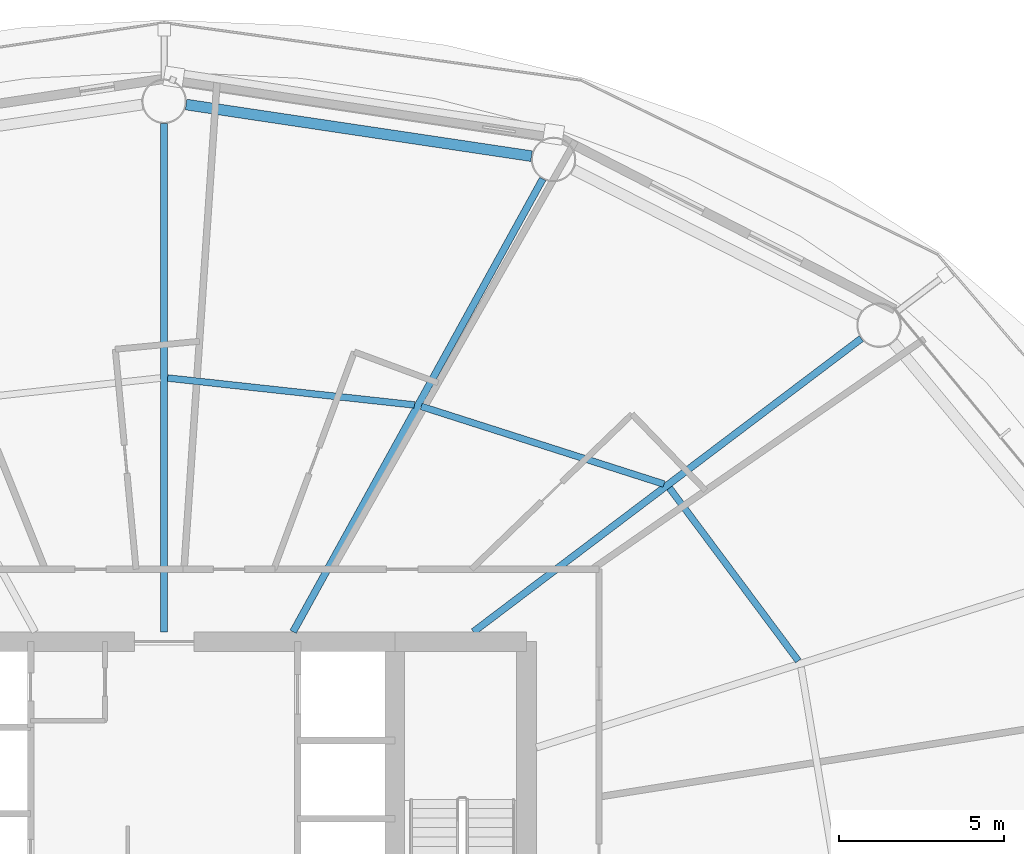
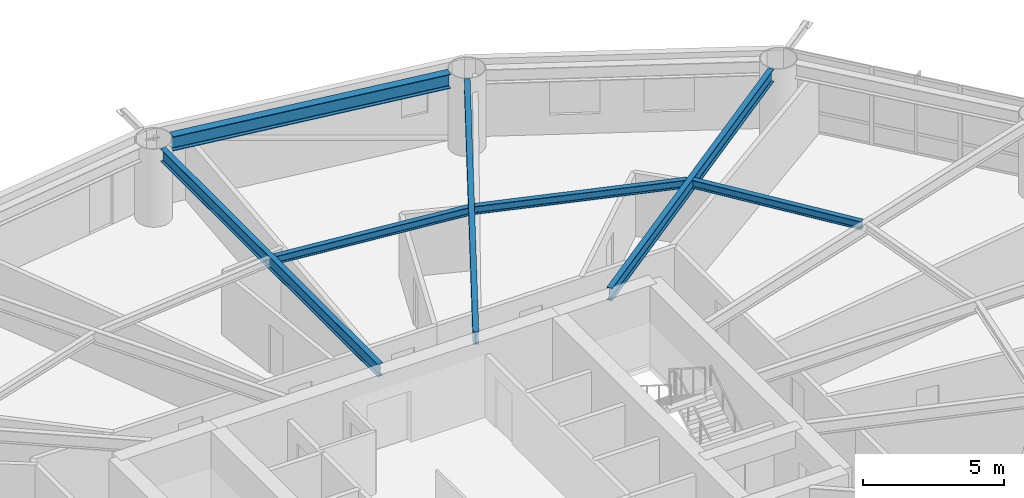
# One storey, part 13 of 26: 7 beams.
"""IFC4 building model written with IfcOpenShell, lengths in metres."""

import ifcopenshell
import ifcopenshell.guid

model = None  # the IFC model being written
_history = None  # IfcOwnerHistory: only IFC2X3 demands one
_inside = {}  # id of a spatial element -> (the spatial element, [elements in it])
_under = {}  # id of a project, library or spatial element -> (it, [spatial elements below it])
_declared = {}  # id of a project -> (the project, [libraries it declares])
_typed = {}  # id of a type object -> (the type object, [elements of that type])
_made_of = {}  # id of a material, layer set ... -> (it, [elements and type objects made of it])


def new_model(schema):
    """Start an empty IFC model of exactly this schema.

    Asked for "IFC4X3", IfcOpenShell would pick the latest addendum, in which some entities
    have other attributes; the version numbers below select the first issue.
    IFC2X3 requires an IfcOwnerHistory on every rooted entity: one is made here for all.
    """
    global model, _history
    if schema == "IFC4X3":
        model = ifcopenshell.file(schema_version=(4, 3, 0, 0))
    else:
        model = ifcopenshell.file(schema=schema)
    _inside.clear()
    _under.clear()
    _declared.clear()
    _typed.clear()
    _made_of.clear()
    _history = None
    if model.schema == "IFC2X3":
        org = make("IfcOrganization", Name="unknown")
        user = make(
            "IfcPersonAndOrganization",
            ThePerson=make("IfcPerson", FamilyName="unknown"),
            TheOrganization=org,
        )
        app = make(
            "IfcApplication",
            ApplicationDeveloper=org,
            Version="unknown",
            ApplicationFullName="unknown",
            ApplicationIdentifier="unknown",
        )
        _history = make(
            "IfcOwnerHistory",
            OwningUser=user,
            OwningApplication=app,
            ChangeAction="ADDED",
            CreationDate=0,
        )
    return model


def make(cls, **values):
    """One entity of the class cls with the attributes given. An attribute that is None is left unset."""
    return model.create_entity(
        cls, **{name: value for name, value in values.items() if value is not None}
    )


def rooted(cls, **values):
    """An entity with a GlobalId (a new one), such as an element, a storey or a relation."""
    return make(cls, GlobalId=ifcopenshell.guid.new(), OwnerHistory=_history, **values)


def si_unit(unit_type, name, prefix=None):
    """IfcSIUnit, for example si_unit("LENGTHUNIT", "METRE", prefix="MILLI")."""
    return make("IfcSIUnit", UnitType=unit_type, Prefix=prefix, Name=name)


def assignment(units):
    """IfcUnitAssignment: the units of a project."""
    return None if units is None else make("IfcUnitAssignment", Units=units)


def point(xyz):
    """IfcCartesianPoint."""
    return None if xyz is None else make("IfcCartesianPoint", Coordinates=xyz)


def direction(xyz):
    """IfcDirection."""
    return None if xyz is None else make("IfcDirection", DirectionRatios=xyz)


def frame(location, z_axis=None, x_axis=None):
    """IfcAxis2Placement3D, a coordinate frame: its origin and axes. An axis left out is left unset."""
    return make(
        "IfcAxis2Placement3D",
        Location=point(location),
        Axis=direction(z_axis),
        RefDirection=direction(x_axis),
    )


def frame_2d(location, x_axis=None):
    """IfcAxis2Placement2D, a coordinate frame in the plane: its origin and x axis."""
    return make(
        "IfcAxis2Placement2D", Location=point(location), RefDirection=direction(x_axis)
    )


def origin():
    """The frame at (0, 0, 0) with its axes left unset."""
    return frame((0.0, 0.0, 0.0))


def origin_2d():
    """The frame at (0, 0) in the plane with its x axis left unset."""
    return frame_2d((0.0, 0.0))


def place(relative_to, where):
    """IfcLocalPlacement: puts the frame where relative to a parent placement (None: the world)."""
    return make(
        "IfcLocalPlacement", PlacementRelTo=relative_to, RelativePlacement=where
    )


def context(
    kind, dimensions, precision=None, world=None, true_north=None, identifier=None
):
    """IfcGeometricRepresentationContext, for example the 3D "Model" context."""
    return make(
        "IfcGeometricRepresentationContext",
        ContextIdentifier=identifier,
        ContextType=kind,
        CoordinateSpaceDimension=dimensions,
        Precision=precision,
        WorldCoordinateSystem=world,
        TrueNorth=true_north,
    )


def subcontext(parent, identifier, kind, view, scale=None):
    """IfcGeometricRepresentationSubContext, for example "Body" below "Model"."""
    return make(
        "IfcGeometricRepresentationSubContext",
        ContextIdentifier=identifier,
        ContextType=kind,
        ParentContext=parent,
        TargetScale=scale,
        TargetView=view,
    )


def project(units=None, contexts=None):
    """IfcProject with its units and contexts."""
    return rooted(
        "IfcProject",
        Name="project",
        RepresentationContexts=contexts,
        UnitsInContext=assignment(units),
    )


def spatial(cls, under=None, at=None, **own):
    """A site, building, storey or space (cls), placed at a placement, below another one or the project."""
    s = rooted(cls, ObjectPlacement=at, **own)
    if under is not None:
        _under.setdefault(under.id(), (under, []))[1].append(s)
    return s


def profile(cls, at=None, kind="AREA", **sizes):
    """A parametric profile (cls). Its sizes go by their IFC names, for example OverallWidth=200.0."""
    return make(cls, ProfileType=kind, Position=at, **sizes)


def i_section(**sizes):
    """IfcIShapeProfileDef."""
    return profile("IfcIShapeProfileDef", **sizes)


def extrude(swept, where, along, depth):
    """IfcExtrudedAreaSolid: the profile swept, set in the frame where, extruded along a direction by depth."""
    return make(
        "IfcExtrudedAreaSolid",
        SweptArea=swept,
        Position=where,
        ExtrudedDirection=direction(along),
        Depth=depth,
    )


def shape(context_of_items, identifier, shape_type, items):
    """IfcShapeRepresentation: the items that make up one representation, for example the "Body"."""
    return make(
        "IfcShapeRepresentation",
        ContextOfItems=context_of_items,
        RepresentationIdentifier=identifier,
        RepresentationType=shape_type,
        Items=items,
    )


def material(Name=None, Category=None):
    """IfcMaterial."""
    return make("IfcMaterial", Name=Name, Category=Category)


def material_profile(
    of_material, cross_section, Name=None, Category=None, Priority=None
):
    """IfcMaterialProfile: a cross section and its material."""
    return make(
        "IfcMaterialProfile",
        Name=Name,
        Material=of_material,
        Profile=cross_section,
        Priority=Priority,
        Category=Category,
    )


def profile_set(profiles, Name=None, composite=None):
    """IfcMaterialProfileSet."""
    return make(
        "IfcMaterialProfileSet",
        Name=Name,
        MaterialProfiles=profiles,
        CompositeProfile=composite,
    )


def made_of(thing, what):
    """Note that an element or type object is made of a material, layer set ...; save() writes the relation."""
    if what is not None:
        _made_of.setdefault(what.id(), (what, []))[1].append(thing)
    return thing


def type_object(cls, material=None, **own):
    """A type object (cls), such as IfcWallType, which elements share."""
    return made_of(rooted(cls, **own), material)


def element(
    cls,
    number,
    at=None,
    inside=None,
    cuts=None,
    type_object=None,
    material=None,
    context=None,
    identifier="Body",
    shape_type=None,
    held_by="IfcProductDefinitionShape",
    body=None,
    shapes=None,
    **own,
):
    """One element of the class cls, such as IfcWall. Its Tag is "e" and its number.

    at: its placement. inside: the storey or other place that contains it. cuts: it is an
    opening in that element (IfcRelVoidsElement). A single representation is given by context,
    identifier, shape_type and body (its items); several are given by shapes. held_by: the class
    of the entity that holds the representations. save() writes the other relations.
    """
    e = rooted(cls, Tag="e%d" % number, ObjectPlacement=at, **own)
    if body is not None:
        shapes = [shape(context, identifier, shape_type, body)]
    if shapes is not None:
        e.Representation = make(held_by, Representations=shapes)
    if inside is not None:
        _inside.setdefault(inside.id(), (inside, []))[1].append(e)
    if cuts is not None:
        rooted(
            "IfcRelVoidsElement", RelatingBuildingElement=cuts, RelatedOpeningElement=e
        )
    if type_object is not None:
        _typed.setdefault(type_object.id(), (type_object, []))[1].append(e)
    return made_of(e, material)


def aggregate(whole, parts):
    """IfcRelAggregates: a whole, such as a stair, and the parts it consists of."""
    return rooted("IfcRelAggregates", RelatingObject=whole, RelatedObjects=parts)


def save(model, path):
    """Write the relations noted so far, then the file.

    IfcRelAggregates (storeys below a building ...), IfcRelContainedInSpatialStructure (elements
    in a storey), IfcRelDefinesByType, IfcRelAssociatesMaterial and IfcRelDeclares: one each for
    every whole, place, type object, material and project.
    """
    for whole, parts in _under.values():
        aggregate(whole, parts)
    for where, things in _inside.values():
        rooted(
            "IfcRelContainedInSpatialStructure",
            RelatedElements=things,
            RelatingStructure=where,
        )
    for kind, things in _typed.values():
        rooted("IfcRelDefinesByType", RelatedObjects=things, RelatingType=kind)
    for what, things in _made_of.values():
        rooted("IfcRelAssociatesMaterial", RelatedObjects=things, RelatingMaterial=what)
    for by, libraries in _declared.values():
        rooted("IfcRelDeclares", RelatingContext=by, RelatedDefinitions=libraries)
    model.write(path)


model = new_model("IFC4")

# Units and contexts
model_context = context("Model", 3, precision=1e-05, world=origin(), true_north=direction((0.0, 1.0)))
body_context = subcontext(model_context, "Body", "Model", "MODEL_VIEW")
ifc_project = project(units=[si_unit("LENGTHUNIT", "METRE"), si_unit("AREAUNIT", "SQUARE_METRE"), si_unit("VOLUMEUNIT", "CUBIC_METRE"), si_unit("PLANEANGLEUNIT", "RADIAN"), si_unit("MASSUNIT", "GRAM", prefix="KILO")], contexts=[model_context])

# Site, building, storey
site_placement = place(None, origin())
site = spatial("IfcSite", under=ifc_project, at=site_placement, CompositionType="ELEMENT")
building_placement = place(site_placement, origin())
building = spatial("IfcBuilding", under=site, at=building_placement, Name="Sarneth Arch Tower", CompositionType="ELEMENT")
storey_placement = place(building_placement, frame((0.0, 0.0, 60.60009765625)))
storey = spatial("IfcBuildingStorey", under=building, at=storey_placement, Name="L14", CompositionType="ELEMENT", Elevation=60.60009765625)

# Beams
ifc_material_1 = material(Name="Steel S355", Category="steel")
ifc_material_profile_1 = material_profile(ifc_material_1, i_section(OverallWidth=0.2041015625, OverallDepth=0.35009765625, WebThickness=0.008544921875, FlangeThickness=0.01513671875, FilletRadius=0.014892578125, at=origin_2d()), Name="W360x72")
ifc_profile_set_1 = profile_set([ifc_material_profile_1], Name="Steel S355")
beam_type_1 = type_object("IfcBeamType", Name="BM-JOIST-360D", PredefinedType="JOIST", material=ifc_profile_set_1)
beam_1_placement = place(storey_placement, frame((67.2470703125, 48.216552734375, 3.204833984375), z_axis=(-0.597453564101, 0.801903509621, 0.0), x_axis=(-0.801903509621, -0.597453564101, 0.0)))
element("IfcBeam", 1, at=beam_1_placement, inside=storey, type_object=beam_type_1, Name="L14 Secondary floor joist 02", PredefinedType="JOIST", context=body_context, shape_type="SweptSolid", body=[
    extrude(i_section(OverallWidth=0.2041015625, OverallDepth=0.35009765625, WebThickness=0.008544921875, FlangeThickness=0.01513671875, FilletRadius=0.014892578125, at=origin_2d()), origin(), (0.0, 0.0, 1.0), 6.542724609375),
])
beam_2_placement = place(storey_placement, frame((63.17236328125, 53.58154296875, 3.204833984375), z_axis=(-0.952436240143, 0.304737934073, 0.0), x_axis=(-0.304737934073, -0.952436240143, 0.0)))
element("IfcBeam", 2, at=beam_2_placement, inside=storey, type_object=beam_type_1, Name="L14 Secondary floor joist 03", PredefinedType="JOIST", context=body_context, shape_type="SweptSolid", body=[
    extrude(i_section(OverallWidth=0.2041015625, OverallDepth=0.35009765625, WebThickness=0.008544921875, FlangeThickness=0.01513671875, FilletRadius=0.014892578125, at=origin_2d()), origin(), (0.0, 0.0, 1.0), 7.735107421875),
])
beam_3_placement = place(storey_placement, frame((55.596923828125, 55.983154296875, 3.204833984375), z_axis=(-0.994095251924, 0.108510967657, 0.0), x_axis=(-0.108510967657, -0.994095251924, 0.0)))
element("IfcBeam", 3, at=beam_3_placement, inside=storey, type_object=beam_type_1, Name="L14 Secondary floor joist 04", PredefinedType="JOIST", context=body_context, shape_type="SweptSolid", body=[
    extrude(i_section(OverallWidth=0.2041015625, OverallDepth=0.35009765625, WebThickness=0.008544921875, FlangeThickness=0.01513671875, FilletRadius=0.014892578125, at=origin_2d()), origin(), (0.0, 0.0, 1.0), 7.534912109375),
])
ifc_material_2 = material(Name="Steel S355", Category="steel")
ifc_material_profile_2 = material_profile(ifc_material_2, i_section(OverallWidth=0.214111328125, OverallDepth=0.549072265625, WebThickness=0.0146484375, FlangeThickness=0.023681640625, FilletRadius=0.01806640625, at=origin_2d()), Name="W530x138")
ifc_profile_set_2 = profile_set([ifc_material_profile_2], Name="Steel S355")
beam_type_2 = type_object("IfcBeamType", Name="BM-RAD-530A", PredefinedType="BEAM", material=ifc_profile_set_2)
beam_4_placement = place(storey_placement, frame((57.390380859375, 49.10009765625, 3.10546875), z_axis=(0.797656612852, 0.603111870198, 0.0), x_axis=(-0.603111870198, 0.797656612852, 0.0)))
element("IfcBeam", 4, at=beam_4_placement, inside=storey, type_object=beam_type_2, Name="L14 Radial floor girder 03", PredefinedType="BEAM", context=body_context, shape_type="SweptSolid", body=[
    extrude(i_section(OverallWidth=0.214111328125, OverallDepth=0.549072265625, WebThickness=0.0146484375, FlangeThickness=0.023681640625, FilletRadius=0.01806640625, at=origin_2d()), origin(), (0.0, 0.0, 1.0), 14.7529296875),
])
beam_5_placement = place(storey_placement, frame((51.91455078125, 49.10009765625, 3.10546875), z_axis=(0.482837562311, 0.875709933952, 0.0), x_axis=(-0.875709933952, 0.482837562311, 0.0)))
element("IfcBeam", 5, at=beam_5_placement, inside=storey, type_object=beam_type_2, Name="L14 Radial floor girder 04", PredefinedType="BEAM", context=body_context, shape_type="SweptSolid", body=[
    extrude(i_section(OverallWidth=0.214111328125, OverallDepth=0.549072265625, WebThickness=0.0146484375, FlangeThickness=0.023681640625, FilletRadius=0.01806640625, at=origin_2d()), origin(), (0.0, 0.0, 1.0), 15.693359375),
])
beam_6_placement = place(storey_placement, frame((48.0, 49.10009765625, 3.10546875), z_axis=(0.0, 1.0, 0.0), x_axis=(-1.0, 0.0, 0.0)))
element("IfcBeam", 6, at=beam_6_placement, inside=storey, type_object=beam_type_2, Name="L14 Radial floor girder 05", PredefinedType="BEAM", context=body_context, shape_type="SweptSolid", body=[
    extrude(i_section(OverallWidth=0.214111328125, OverallDepth=0.549072265625, WebThickness=0.0146484375, FlangeThickness=0.023681640625, FilletRadius=0.01806640625, at=origin_2d()), origin(), (0.0, 0.0, 1.0), 15.4248046875),
])
ifc_material_3 = material(Name="Steel S355", Category="steel")
ifc_material_profile_3 = material_profile(ifc_material_3, i_section(OverallWidth=0.326904296875, OverallDepth=0.6220703125, WebThickness=0.015380859375, FlangeThickness=0.0244140625, FilletRadius=0.01904296875, at=origin_2d()), Name="W610x195")
ifc_profile_set_3 = profile_set([ifc_material_profile_3], Name="Steel S355")
beam_type_3 = type_object("IfcBeamType", Name="BM-SPAN-610A", PredefinedType="SPANDREL", material=ifc_profile_set_3)
beam_7_placement = place(storey_placement, frame((59.150146484375, 63.53369140625, 3.06884765625), z_axis=(-0.989015788086, 0.147809914809, 0.0), x_axis=(-0.147809914809, -0.989015788086, 0.0)))
element("IfcBeam", 7, at=beam_7_placement, inside=storey, type_object=beam_type_3, Name="L14 Perimeter spandrel beam 04", PredefinedType="SPANDREL", context=body_context, shape_type="SweptSolid", body=[
    extrude(i_section(OverallWidth=0.326904296875, OverallDepth=0.6220703125, WebThickness=0.015380859375, FlangeThickness=0.0244140625, FilletRadius=0.01904296875, at=origin_2d()), origin(), (0.0, 0.0, 1.0), 10.59912109375),
])

save(model, "model.ifc")
